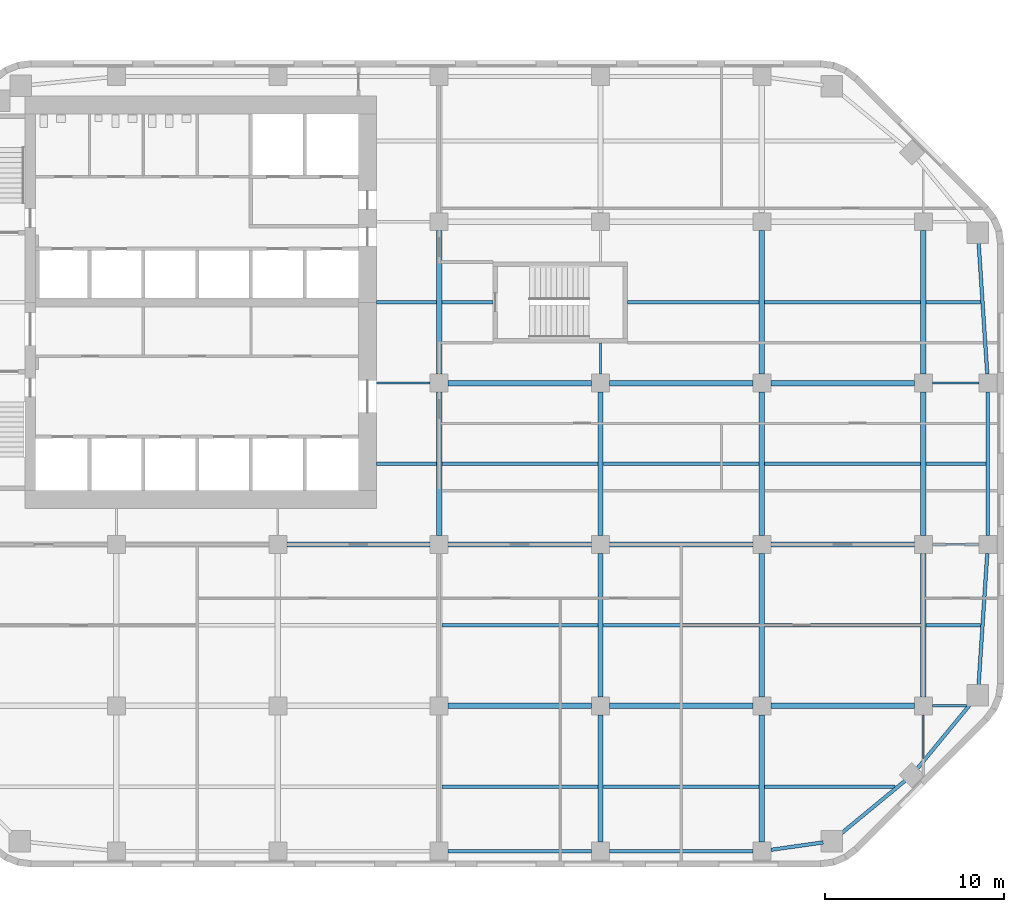
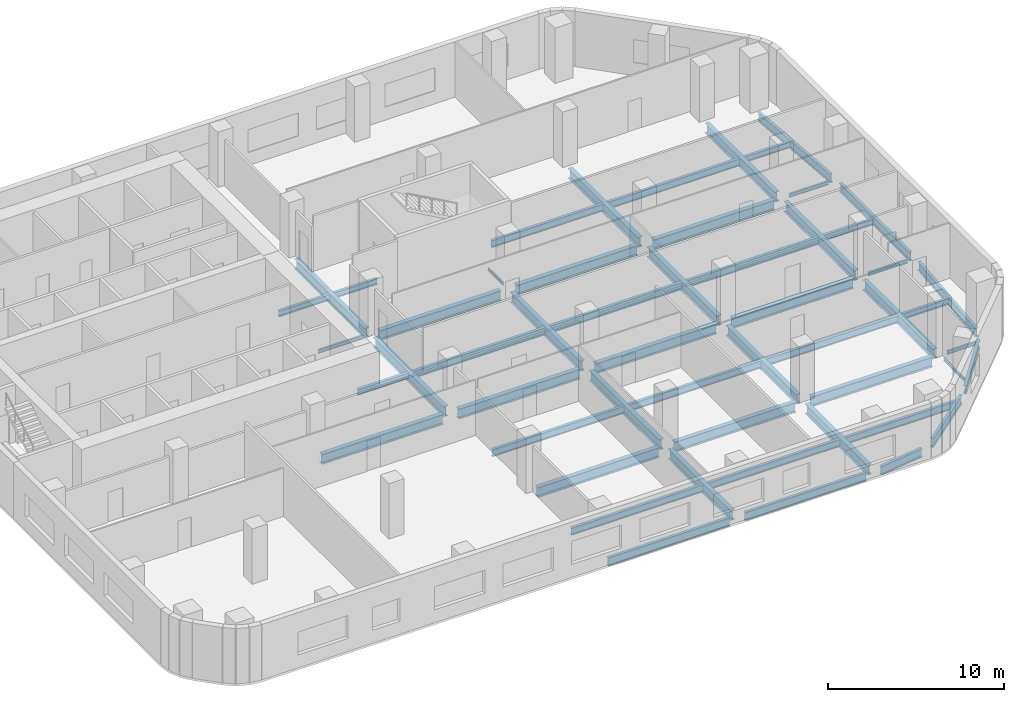
# One storey, part 11 of 24: 53 beams.
"""IFC4 building model written with IfcOpenShell, lengths in metres."""

from ifc_helpers import new_model, si_unit, direction, frame, origin, origin_2d, place, context, subcontext, project, spatial, i_section, extrude, material, material_profile, profile_set, type_object, element, save


model = new_model("IFC4")

# Units and contexts
model_context = context("Model", 3, precision=1e-05, world=origin(), true_north=direction((0.0, 1.0)))
body_context = subcontext(model_context, "Body", "Model", "MODEL_VIEW")
ifc_project = project(units=[si_unit("LENGTHUNIT", "METRE"), si_unit("AREAUNIT", "SQUARE_METRE"), si_unit("VOLUMEUNIT", "CUBIC_METRE"), si_unit("PLANEANGLEUNIT", "RADIAN"), si_unit("MASSUNIT", "GRAM", prefix="KILO")], contexts=[model_context])

# Site, building, storey
site_placement = place(None, origin())
site = spatial("IfcSite", under=ifc_project, at=site_placement, CompositionType="ELEMENT")
building_placement = place(site_placement, origin())
building = spatial("IfcBuilding", under=site, at=building_placement, Name="Cinnabar Reach Civic Tower", CompositionType="ELEMENT")
storey_placement = place(building_placement, frame((0.0, 0.0, 71.0)))
storey = spatial("IfcBuildingStorey", under=building, at=storey_placement, Name="L16", CompositionType="ELEMENT", Elevation=71.0)

# Beams
ifc_material = material(Name="Steel Q355B", Category="steel")
ifc_material_profile_1 = material_profile(ifc_material, i_section(OverallWidth=0.099, OverallDepth=0.198, WebThickness=0.0045, FlangeThickness=0.007, FilletRadius=0.013, at=origin_2d()), Name="HN200x100x5.5x8")
ifc_profile_set_1 = profile_set([ifc_material_profile_1], Name="Steel Q355B")
beam_type_1 = type_object("IfcBeamType", Name="HN200x100x5.5x8 beam R 180", PredefinedType="BEAM", material=ifc_profile_set_1)
beam_1_placement = place(storey_placement, frame((36.0, 27.502, -0.249), z_axis=(0.0, 1.0, 0.0), x_axis=(-1.0, 0.0, 0.0)))
element("IfcBeam", 1, at=beam_1_placement, inside=storey, type_object=beam_type_1, Name="Girder T1 L16 15", PredefinedType="BEAM", context=body_context, shape_type="SweptSolid", body=[
    extrude(i_section(OverallWidth=0.099, OverallDepth=0.198, WebThickness=0.0045, FlangeThickness=0.007, FilletRadius=0.013, at=origin_2d()), origin(), (0.0, 0.0, 1.0), 1.746),
])
beam_2_placement = place(storey_placement, frame((54.0, 6.0682, -0.249), z_axis=(0.0, 1.0, 0.0), x_axis=(-1.0, 0.0, 0.0)))
element("IfcBeam", 2, at=beam_2_placement, inside=storey, type_object=beam_type_1, Name="Girder T1 L16 23", PredefinedType="BEAM", context=body_context, shape_type="SweptSolid", body=[
    extrude(i_section(OverallWidth=0.099, OverallDepth=0.198, WebThickness=0.0045, FlangeThickness=0.007, FilletRadius=0.013, at=origin_2d()), origin(), (0.0, 0.0, 1.0), 2.4298),
])
ifc_material_profile_2 = material_profile(ifc_material, i_section(OverallWidth=0.124, OverallDepth=0.248, WebThickness=0.005, FlangeThickness=0.008, FilletRadius=0.013, at=origin_2d()), Name="HN250x125x6x9")
ifc_profile_set_2 = profile_set([ifc_material_profile_2], Name="Steel Q355B")
beam_type_2 = type_object("IfcBeamType", Name="HN250x125x6x9 beam R 180", PredefinedType="BEAM", material=ifc_profile_set_2)
beam_3_placement = place(storey_placement, frame((54.502, 9.0, -0.274), z_axis=(1.0, 0.0, 0.0), x_axis=(0.0, 1.0, 0.0)))
element("IfcBeam", 3, at=beam_3_placement, inside=storey, type_object=beam_type_2, Name="Girder T1 L16 7", PredefinedType="BEAM", context=body_context, shape_type="SweptSolid", body=[
    extrude(i_section(OverallWidth=0.124, OverallDepth=0.248, WebThickness=0.005, FlangeThickness=0.008, FilletRadius=0.013, at=origin_2d()), origin(), (0.0, 0.0, 1.0), 1.9162),
])
beam_4_placement = place(storey_placement, frame((54.502, 18.0, -0.274), z_axis=(1.0, 0.0, 0.0), x_axis=(0.0, 1.0, 0.0)))
element("IfcBeam", 4, at=beam_4_placement, inside=storey, type_object=beam_type_2, Name="Girder T1 L16 14", PredefinedType="BEAM", context=body_context, shape_type="SweptSolid", body=[
    extrude(i_section(OverallWidth=0.124, OverallDepth=0.248, WebThickness=0.005, FlangeThickness=0.008, FilletRadius=0.013, at=origin_2d()), origin(), (0.0, 0.0, 1.0), 2.596),
])
beam_5_placement = place(storey_placement, frame((23.502, 27.0, -0.274), z_axis=(1.0, 0.0, 0.0), x_axis=(0.0, 1.0, 0.0)))
element("IfcBeam", 5, at=beam_5_placement, inside=storey, type_object=beam_type_2, Name="Girder T1 L16 15", PredefinedType="BEAM", context=body_context, shape_type="SweptSolid", body=[
    extrude(i_section(OverallWidth=0.124, OverallDepth=0.248, WebThickness=0.005, FlangeThickness=0.008, FilletRadius=0.013, at=origin_2d()), origin(), (0.0, 0.0, 1.0), 2.996),
])
beam_6_placement = place(storey_placement, frame((54.502, 27.0, -0.274), z_axis=(1.0, 0.0, 0.0), x_axis=(0.0, 1.0, 0.0)))
element("IfcBeam", 6, at=beam_6_placement, inside=storey, type_object=beam_type_2, Name="Girder T1 L16 19", PredefinedType="BEAM", context=body_context, shape_type="SweptSolid", body=[
    extrude(i_section(OverallWidth=0.124, OverallDepth=0.248, WebThickness=0.005, FlangeThickness=0.008, FilletRadius=0.013, at=origin_2d()), origin(), (0.0, 0.0, 1.0), 2.596),
])
ifc_material_profile_3 = material_profile(ifc_material, i_section(OverallWidth=0.2, OverallDepth=0.4, WebThickness=0.008, FlangeThickness=0.013, FilletRadius=0.016, at=origin_2d()), Name="HN400x200x8x13")
ifc_profile_set_3 = profile_set([ifc_material_profile_3], Name="Steel Q355B")
beam_type_3 = type_object("IfcBeamType", Name="HN400x200x8x13 beam R 180", PredefinedType="BEAM", material=ifc_profile_set_3)
beam_7_placement = place(storey_placement, frame((54.152, 13.5, -0.35), z_axis=(1.0, 0.0, 0.0), x_axis=(0.0, 1.0, 0.0)))
element("IfcBeam", 7, at=beam_7_placement, inside=storey, type_object=beam_type_3, Name="Secondary beam T1 L16 13", PredefinedType="BEAM", context=body_context, shape_type="SweptSolid", body=[
    extrude(i_section(OverallWidth=0.2, OverallDepth=0.4, WebThickness=0.008, FlangeThickness=0.013, FilletRadius=0.016, at=origin_2d()), origin(), (0.0, 0.0, 1.0), 3.0494),
])
for number, where, z_axis, x_axis, name in (
    (8, (23.502, 22.5, -0.35), (1.0, 0.0, 0.0), (0.0, 1.0, 0.0), "Secondary beam T1 L16 14"),
    (9, (54.152, 22.5, -0.35), (1.0, 0.0, 0.0), (0.0, 1.0, 0.0), "Secondary beam T1 L16 18"),
    (10, (23.502, 31.5, -0.35), (1.0, 0.0, 0.0), (0.0, 1.0, 0.0), "Secondary beam T1 L16 20"),
):
    element("IfcBeam", number, at=place(storey_placement, frame(where, z_axis=z_axis, x_axis=x_axis)), inside=storey, type_object=beam_type_3, Name=name, PredefinedType="BEAM", context=body_context, shape_type="SweptSolid", body=[
        extrude(i_section(OverallWidth=0.2, OverallDepth=0.4, WebThickness=0.008, FlangeThickness=0.013, FilletRadius=0.016, at=origin_2d()), origin(), (0.0, 0.0, 1.0), 3.346),
    ])
beam_8_placement = place(storey_placement, frame((27.152, 31.5, -0.35), z_axis=(1.0, 0.0, 0.0), x_axis=(0.0, 1.0, 0.0)))
element("IfcBeam", 11, at=beam_8_placement, inside=storey, type_object=beam_type_3, Name="Secondary beam T1 L16 21", PredefinedType="BEAM", context=body_context, shape_type="SweptSolid", body=[
    extrude(i_section(OverallWidth=0.2, OverallDepth=0.4, WebThickness=0.008, FlangeThickness=0.013, FilletRadius=0.016, at=origin_2d()), origin(), (0.0, 0.0, 1.0), 2.846),
])
beam_9_placement = place(storey_placement, frame((54.152, 31.5, -0.35), z_axis=(1.0, 0.0, 0.0), x_axis=(0.0, 1.0, 0.0)))
element("IfcBeam", 12, at=beam_9_placement, inside=storey, type_object=beam_type_3, Name="Secondary beam T1 L16 24", PredefinedType="BEAM", context=body_context, shape_type="SweptSolid", body=[
    extrude(i_section(OverallWidth=0.2, OverallDepth=0.4, WebThickness=0.008, FlangeThickness=0.013, FilletRadius=0.016, at=origin_2d()), origin(), (0.0, 0.0, 1.0), 3.0494),
])
ifc_material_profile_4 = material_profile(ifc_material, i_section(OverallWidth=0.2, OverallDepth=0.5, WebThickness=0.01, FlangeThickness=0.016, FilletRadius=0.016, at=origin_2d()), Name="HN500x200x10x16")
ifc_profile_set_4 = profile_set([ifc_material_profile_4], Name="Steel Q355B")
beam_type_4 = type_object("IfcBeamType", Name="HN500x200x10x16 beam R 180", PredefinedType="BEAM", material=ifc_profile_set_4)
for number, where, z_axis, x_axis, name in (
    (13, (27.152, 4.5, -0.4), (1.0, 0.0, 0.0), (0.0, 1.0, 0.0), "Secondary beam T1 L16 4"),
    (14, (36.152, 4.5, -0.4), (1.0, 0.0, 0.0), (0.0, 1.0, 0.0), "Secondary beam T1 L16 5"),
):
    element("IfcBeam", number, at=place(storey_placement, frame(where, z_axis=z_axis, x_axis=x_axis)), inside=storey, type_object=beam_type_4, Name=name, PredefinedType="BEAM", context=body_context, shape_type="SweptSolid", body=[
        extrude(i_section(OverallWidth=0.2, OverallDepth=0.5, WebThickness=0.01, FlangeThickness=0.016, FilletRadius=0.016, at=origin_2d()), origin(), (0.0, 0.0, 1.0), 8.696),
    ])
beam_10_placement = place(storey_placement, frame((45.152, 4.5, -0.4), z_axis=(1.0, 0.0, 0.0), x_axis=(0.0, 1.0, 0.0)))
element("IfcBeam", 15, at=beam_10_placement, inside=storey, type_object=beam_type_4, Name="Secondary beam T1 L16 6", PredefinedType="BEAM", context=body_context, shape_type="SweptSolid", body=[
    extrude(i_section(OverallWidth=0.2, OverallDepth=0.5, WebThickness=0.01, FlangeThickness=0.016, FilletRadius=0.016, at=origin_2d()), origin(), (0.0, 0.0, 1.0), 7.2798),
])
for number, where, z_axis, x_axis, name in (
    (16, (27.152, 13.5, -0.4), (1.0, 0.0, 0.0), (0.0, 1.0, 0.0), "Secondary beam T1 L16 10"),
    (17, (36.152, 13.5, -0.4), (1.0, 0.0, 0.0), (0.0, 1.0, 0.0), "Secondary beam T1 L16 11"),
    (18, (45.152, 13.5, -0.4), (1.0, 0.0, 0.0), (0.0, 1.0, 0.0), "Secondary beam T1 L16 12"),
    (19, (27.152, 22.5, -0.4), (1.0, 0.0, 0.0), (0.0, 1.0, 0.0), "Secondary beam T1 L16 15"),
    (20, (36.152, 22.5, -0.4), (1.0, 0.0, 0.0), (0.0, 1.0, 0.0), "Secondary beam T1 L16 16"),
    (21, (45.152, 22.5, -0.4), (1.0, 0.0, 0.0), (0.0, 1.0, 0.0), "Secondary beam T1 L16 17"),
):
    element("IfcBeam", number, at=place(storey_placement, frame(where, z_axis=z_axis, x_axis=x_axis)), inside=storey, type_object=beam_type_4, Name=name, PredefinedType="BEAM", context=body_context, shape_type="SweptSolid", body=[
        extrude(i_section(OverallWidth=0.2, OverallDepth=0.5, WebThickness=0.01, FlangeThickness=0.016, FilletRadius=0.016, at=origin_2d()), origin(), (0.0, 0.0, 1.0), 8.696),
    ])
beam_11_placement = place(storey_placement, frame((37.502, 31.5, -0.4), z_axis=(1.0, 0.0, 0.0), x_axis=(0.0, 1.0, 0.0)))
element("IfcBeam", 22, at=beam_11_placement, inside=storey, type_object=beam_type_4, Name="Secondary beam T1 L16 22", PredefinedType="BEAM", context=body_context, shape_type="SweptSolid", body=[
    extrude(i_section(OverallWidth=0.2, OverallDepth=0.5, WebThickness=0.01, FlangeThickness=0.016, FilletRadius=0.016, at=origin_2d()), origin(), (0.0, 0.0, 1.0), 7.346),
])
beam_12_placement = place(storey_placement, frame((45.152, 31.5, -0.4), z_axis=(1.0, 0.0, 0.0), x_axis=(0.0, 1.0, 0.0)))
element("IfcBeam", 23, at=beam_12_placement, inside=storey, type_object=beam_type_4, Name="Secondary beam T1 L16 23", PredefinedType="BEAM", context=body_context, shape_type="SweptSolid", body=[
    extrude(i_section(OverallWidth=0.2, OverallDepth=0.5, WebThickness=0.01, FlangeThickness=0.016, FilletRadius=0.016, at=origin_2d()), origin(), (0.0, 0.0, 1.0), 8.696),
])
ifc_material_profile_5 = material_profile(ifc_material, i_section(OverallWidth=0.2, OverallDepth=0.6, WebThickness=0.011, FlangeThickness=0.017, FilletRadius=0.016, at=origin_2d()), Name="HN600x200x11x17")
ifc_profile_set_5 = profile_set([ifc_material_profile_5], Name="Steel Q355B")
beam_type_5 = type_object("IfcBeamType", Name="HN600x200x11x17 beam R 180", PredefinedType="BEAM", material=ifc_profile_set_5)
for number, where, z_axis, x_axis, name in (
    (24, (27.502, 0.9, -0.45), (1.0, 0.0, 0.0), (0.0, 1.0, 0.0), "Edge beam T1 L16 4"),
    (25, (36.502, 0.9, -0.45), (1.0, 0.0, 0.0), (0.0, 1.0, 0.0), "Edge beam T1 L16 5"),
):
    element("IfcBeam", number, at=place(storey_placement, frame(where, z_axis=z_axis, x_axis=x_axis)), inside=storey, type_object=beam_type_5, Name=name, PredefinedType="BEAM", context=body_context, shape_type="SweptSolid", body=[
        extrude(i_section(OverallWidth=0.2, OverallDepth=0.6, WebThickness=0.011, FlangeThickness=0.017, FilletRadius=0.016, at=origin_2d()), origin(), (0.0, 0.0, 1.0), 7.996),
    ])
beam_13_placement = place(storey_placement, frame((45.502, 0.9712, -0.45), z_axis=(0.990082238922, 0.140489003738, 0.0), x_axis=(-0.140489003738, 0.990082238922, 0.0)))
element("IfcBeam", 26, at=beam_13_placement, inside=storey, type_object=beam_type_5, Name="Edge beam T1 L16 6", PredefinedType="BEAM", context=body_context, shape_type="SweptSolid", body=[
    extrude(i_section(OverallWidth=0.2, OverallDepth=0.6, WebThickness=0.011, FlangeThickness=0.017, FilletRadius=0.016, at=origin_2d()), origin(), (0.0, 0.0, 1.0), 2.9433),
])
for number, where, z_axis, x_axis, name in (
    (27, (49.3801, 1.8507, -0.45), (0.77143827905, 0.6363041581, 0.0), (-0.6363041581, 0.77143827905, 0.0), "Edge beam T1 L16 7"),
    (28, (53.6461, 5.4789, -0.45), (0.6363041581, 0.77143827905, 0.0), (-0.77143827905, 0.6363041581, 0.0), "Edge beam T1 L16 8"),
):
    element("IfcBeam", number, at=place(storey_placement, frame(where, z_axis=z_axis, x_axis=x_axis)), inside=storey, type_object=beam_type_5, Name=name, PredefinedType="BEAM", context=body_context, shape_type="SweptSolid", body=[
        extrude(i_section(OverallWidth=0.2, OverallDepth=0.6, WebThickness=0.011, FlangeThickness=0.017, FilletRadius=0.016, at=origin_2d()), origin(), (0.0, 0.0, 1.0), 4.7198),
    ])
beam_14_placement = place(storey_placement, frame((57.0786, 10.0839, -0.45), z_axis=(0.065718615968, 0.997838195057, 0.0), x_axis=(-0.997838195057, 0.065718615968, 0.0)))
element("IfcBeam", 29, at=beam_14_placement, inside=storey, type_object=beam_type_5, Name="Edge beam T1 L16 9", PredefinedType="BEAM", context=body_context, shape_type="SweptSolid", body=[
    extrude(i_section(OverallWidth=0.2, OverallDepth=0.6, WebThickness=0.011, FlangeThickness=0.017, FilletRadius=0.016, at=origin_2d()), origin(), (0.0, 0.0, 1.0), 7.4302),
])
beam_15_placement = place(storey_placement, frame((57.6, 18.502, -0.45), z_axis=(0.0, 1.0, 0.0), x_axis=(-1.0, 0.0, 0.0)))
element("IfcBeam", 30, at=beam_15_placement, inside=storey, type_object=beam_type_5, Name="Edge beam T1 L16 10", PredefinedType="BEAM", context=body_context, shape_type="SweptSolid", body=[
    extrude(i_section(OverallWidth=0.2, OverallDepth=0.6, WebThickness=0.011, FlangeThickness=0.017, FilletRadius=0.016, at=origin_2d()), origin(), (0.0, 0.0, 1.0), 7.996),
])
beam_16_placement = place(storey_placement, frame((57.5669, 27.502, -0.45), z_axis=(-0.065718615968, 0.997838195057, 0.0), x_axis=(-0.997838195057, -0.065718615968, 0.0)))
element("IfcBeam", 31, at=beam_16_placement, inside=storey, type_object=beam_type_5, Name="Edge beam T1 L16 11", PredefinedType="BEAM", context=body_context, shape_type="SweptSolid", body=[
    extrude(i_section(OverallWidth=0.2, OverallDepth=0.6, WebThickness=0.011, FlangeThickness=0.017, FilletRadius=0.016, at=origin_2d()), origin(), (0.0, 0.0, 1.0), 7.4302),
])
ifc_material_profile_6 = material_profile(ifc_material, i_section(OverallWidth=0.3, OverallDepth=0.692, WebThickness=0.013, FlangeThickness=0.02, FilletRadius=0.016, at=origin_2d()), Name="HN692x300x13x20")
ifc_profile_set_6 = profile_set([ifc_material_profile_6], Name="Steel Q355B")
beam_type_6 = type_object("IfcBeamType", Name="HN692x300x13x20 beam R 180", PredefinedType="BEAM", material=ifc_profile_set_6)
for number, where, z_axis, x_axis, name in (
    (32, (27.0, 18.502, -0.496), (0.0, 1.0, 0.0), (-1.0, 0.0, 0.0), "Girder T1 L16 9"),
    (33, (27.0, 27.502, -0.496), (0.0, 1.0, 0.0), (-1.0, 0.0, 0.0), "Girder T1 L16 10"),
):
    element("IfcBeam", number, at=place(storey_placement, frame(where, z_axis=z_axis, x_axis=x_axis)), inside=storey, type_object=beam_type_6, Name=name, PredefinedType="BEAM", context=body_context, shape_type="SweptSolid", body=[
        extrude(i_section(OverallWidth=0.3, OverallDepth=0.692, WebThickness=0.013, FlangeThickness=0.02, FilletRadius=0.016, at=origin_2d()), origin(), (0.0, 0.0, 1.0), 7.996),
    ])
beam_17_placement = place(storey_placement, frame((36.0, 1.402, -0.496), z_axis=(0.0, 1.0, 0.0), x_axis=(-1.0, 0.0, 0.0)))
element("IfcBeam", 34, at=beam_17_placement, inside=storey, type_object=beam_type_6, Name="Girder T1 L16 12", PredefinedType="BEAM", context=body_context, shape_type="SweptSolid", body=[
    extrude(i_section(OverallWidth=0.3, OverallDepth=0.692, WebThickness=0.013, FlangeThickness=0.02, FilletRadius=0.016, at=origin_2d()), origin(), (0.0, 0.0, 1.0), 7.096),
])
for number, where, z_axis, x_axis, name in (
    (35, (36.0, 9.502, -0.496), (0.0, 1.0, 0.0), (-1.0, 0.0, 0.0), "Girder T1 L16 13"),
    (36, (36.0, 18.502, -0.496), (0.0, 1.0, 0.0), (-1.0, 0.0, 0.0), "Girder T1 L16 14"),
):
    element("IfcBeam", number, at=place(storey_placement, frame(where, z_axis=z_axis, x_axis=x_axis)), inside=storey, type_object=beam_type_6, Name=name, PredefinedType="BEAM", context=body_context, shape_type="SweptSolid", body=[
        extrude(i_section(OverallWidth=0.3, OverallDepth=0.692, WebThickness=0.013, FlangeThickness=0.02, FilletRadius=0.016, at=origin_2d()), origin(), (0.0, 0.0, 1.0), 7.996),
    ])
beam_18_placement = place(storey_placement, frame((45.0, 1.402, -0.496), z_axis=(0.0, 1.0, 0.0), x_axis=(-1.0, 0.0, 0.0)))
element("IfcBeam", 37, at=beam_18_placement, inside=storey, type_object=beam_type_6, Name="Girder T1 L16 18", PredefinedType="BEAM", context=body_context, shape_type="SweptSolid", body=[
    extrude(i_section(OverallWidth=0.3, OverallDepth=0.692, WebThickness=0.013, FlangeThickness=0.02, FilletRadius=0.016, at=origin_2d()), origin(), (0.0, 0.0, 1.0), 7.096),
])
for number, where, z_axis, x_axis, name in (
    (38, (45.0, 9.502, -0.496), (0.0, 1.0, 0.0), (-1.0, 0.0, 0.0), "Girder T1 L16 19"),
    (39, (45.0, 18.502, -0.496), (0.0, 1.0, 0.0), (-1.0, 0.0, 0.0), "Girder T1 L16 20"),
    (40, (45.0, 27.502, -0.496), (0.0, 1.0, 0.0), (-1.0, 0.0, 0.0), "Girder T1 L16 21"),
    (41, (54.0, 9.502, -0.496), (0.0, 1.0, 0.0), (-1.0, 0.0, 0.0), "Girder T1 L16 24"),
    (42, (54.0, 18.502, -0.496), (0.0, 1.0, 0.0), (-1.0, 0.0, 0.0), "Girder T1 L16 25"),
    (43, (54.0, 27.502, -0.496), (0.0, 1.0, 0.0), (-1.0, 0.0, 0.0), "Girder T1 L16 26"),
):
    element("IfcBeam", number, at=place(storey_placement, frame(where, z_axis=z_axis, x_axis=x_axis)), inside=storey, type_object=beam_type_6, Name=name, PredefinedType="BEAM", context=body_context, shape_type="SweptSolid", body=[
        extrude(i_section(OverallWidth=0.3, OverallDepth=0.692, WebThickness=0.013, FlangeThickness=0.02, FilletRadius=0.016, at=origin_2d()), origin(), (0.0, 0.0, 1.0), 7.996),
    ])
ifc_material_profile_7 = material_profile(ifc_material, i_section(OverallWidth=0.3, OverallDepth=0.7, WebThickness=0.013, FlangeThickness=0.024, FilletRadius=0.02, at=origin_2d()), Name="HN700x300x13x24")
ifc_profile_set_7 = profile_set([ifc_material_profile_7], Name="Steel Q355B")
beam_type_7 = type_object("IfcBeamType", Name="HN700x300x13x24 beam R 180", PredefinedType="BEAM", material=ifc_profile_set_7)
for number, where, z_axis, x_axis, name in (
    (44, (27.502, 9.0, -0.5), (1.0, 0.0, 0.0), (0.0, 1.0, 0.0), "Girder T1 L16 4"),
    (45, (36.502, 9.0, -0.5), (1.0, 0.0, 0.0), (0.0, 1.0, 0.0), "Girder T1 L16 5"),
    (46, (45.502, 9.0, -0.5), (1.0, 0.0, 0.0), (0.0, 1.0, 0.0), "Girder T1 L16 6"),
    (47, (18.502, 18.0, -0.5), (1.0, 0.0, 0.0), (0.0, 1.0, 0.0), "Girder T1 L16 10"),
    (48, (27.502, 18.0, -0.5), (1.0, 0.0, 0.0), (0.0, 1.0, 0.0), "Girder T1 L16 11"),
    (49, (36.502, 18.0, -0.5), (1.0, 0.0, 0.0), (0.0, 1.0, 0.0), "Girder T1 L16 12"),
    (50, (45.502, 18.0, -0.5), (1.0, 0.0, 0.0), (0.0, 1.0, 0.0), "Girder T1 L16 13"),
    (51, (27.502, 27.0, -0.5), (1.0, 0.0, 0.0), (0.0, 1.0, 0.0), "Girder T1 L16 16"),
    (52, (36.502, 27.0, -0.5), (1.0, 0.0, 0.0), (0.0, 1.0, 0.0), "Girder T1 L16 17"),
    (53, (45.502, 27.0, -0.5), (1.0, 0.0, 0.0), (0.0, 1.0, 0.0), "Girder T1 L16 18"),
):
    element("IfcBeam", number, at=place(storey_placement, frame(where, z_axis=z_axis, x_axis=x_axis)), inside=storey, type_object=beam_type_7, Name=name, PredefinedType="BEAM", context=body_context, shape_type="SweptSolid", body=[
        extrude(i_section(OverallWidth=0.3, OverallDepth=0.7, WebThickness=0.013, FlangeThickness=0.024, FilletRadius=0.02, at=origin_2d()), origin(), (0.0, 0.0, 1.0), 7.996),
    ])

save(model, "model.ifc")
